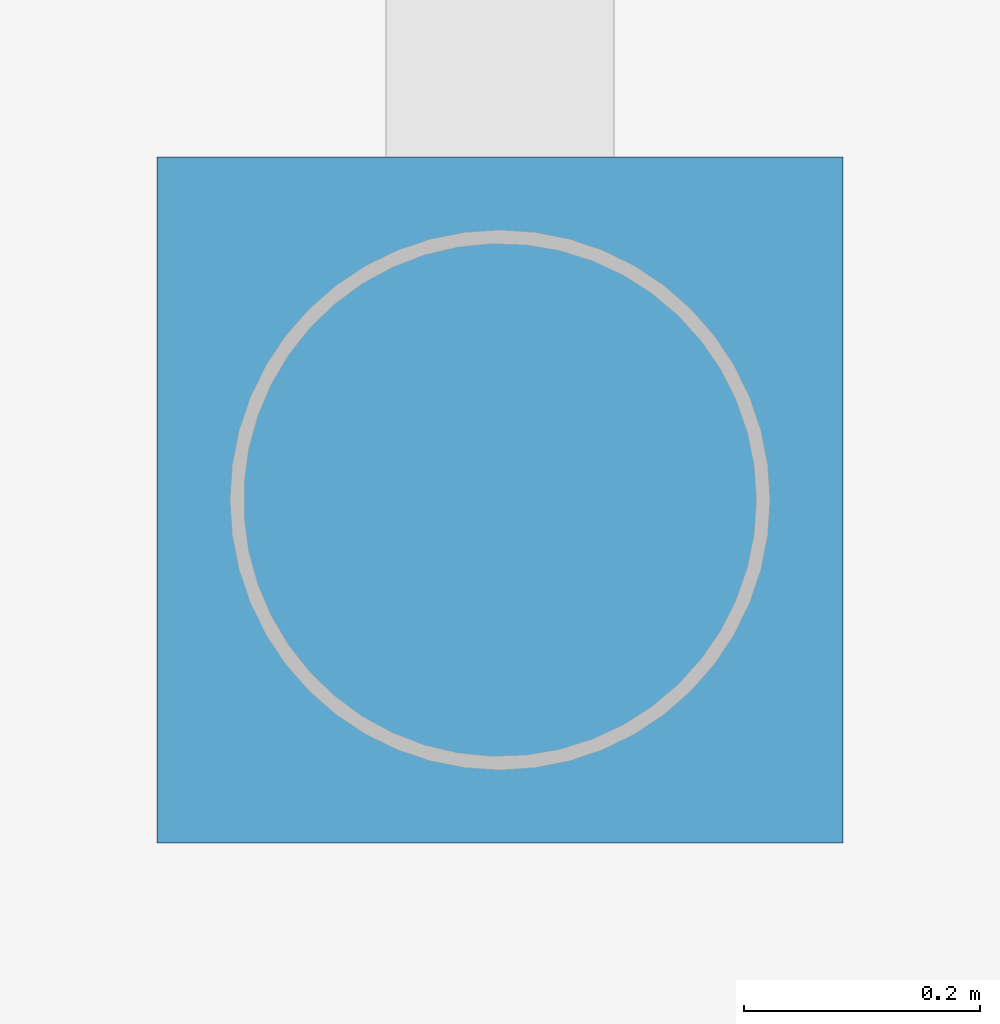
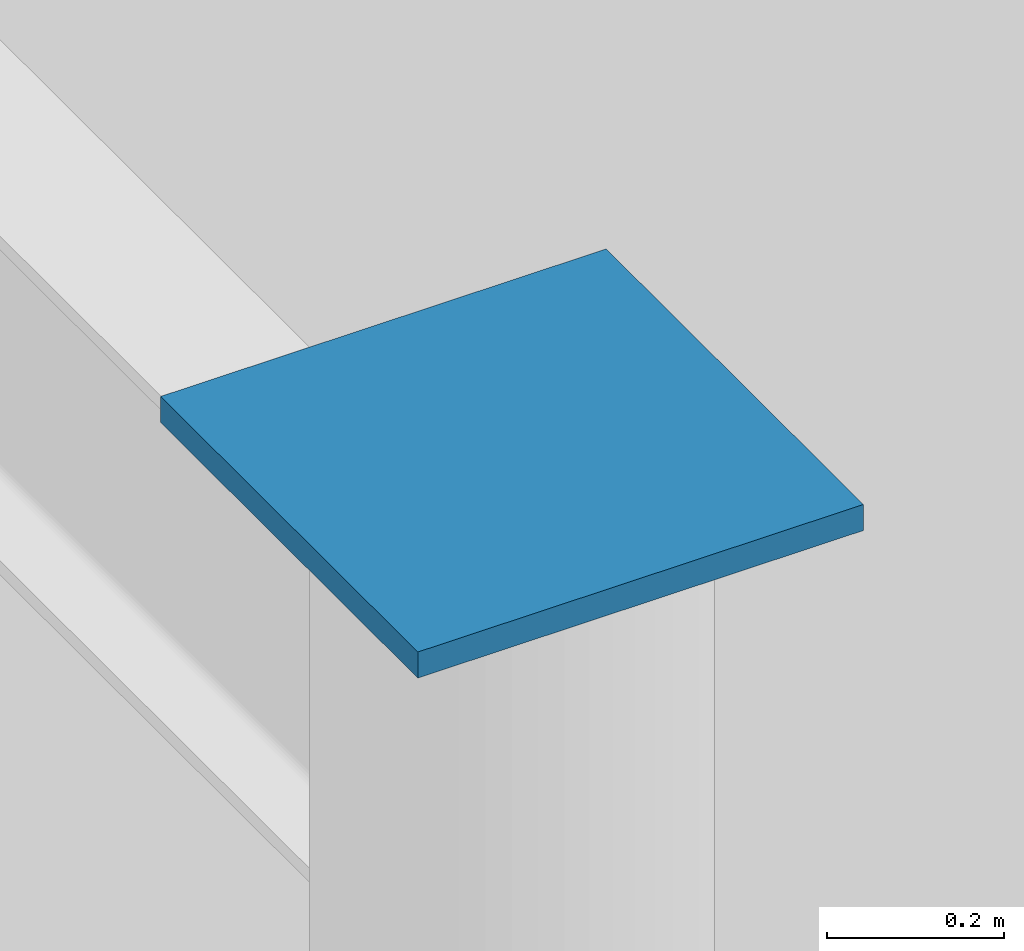
# One storey, part 64 of 75: 1 discrete accessory.
"""IFC4 building model written with IfcOpenShell, lengths in metres."""

import ifcopenshell
import ifcopenshell.guid

model = None  # the IFC model being written
_history = None  # IfcOwnerHistory: only IFC2X3 demands one
_inside = {}  # id of a spatial element -> (the spatial element, [elements in it])
_under = {}  # id of a project, library or spatial element -> (it, [spatial elements below it])
_declared = {}  # id of a project -> (the project, [libraries it declares])
_typed = {}  # id of a type object -> (the type object, [elements of that type])
_made_of = {}  # id of a material, layer set ... -> (it, [elements and type objects made of it])


def new_model(schema):
    """Start an empty IFC model of exactly this schema.

    Asked for "IFC4X3", IfcOpenShell would pick the latest addendum, in which some entities
    have other attributes; the version numbers below select the first issue.
    IFC2X3 requires an IfcOwnerHistory on every rooted entity: one is made here for all.
    """
    global model, _history
    if schema == "IFC4X3":
        model = ifcopenshell.file(schema_version=(4, 3, 0, 0))
    else:
        model = ifcopenshell.file(schema=schema)
    _inside.clear()
    _under.clear()
    _declared.clear()
    _typed.clear()
    _made_of.clear()
    _history = None
    if model.schema == "IFC2X3":
        org = make("IfcOrganization", Name="unknown")
        user = make(
            "IfcPersonAndOrganization",
            ThePerson=make("IfcPerson", FamilyName="unknown"),
            TheOrganization=org,
        )
        app = make(
            "IfcApplication",
            ApplicationDeveloper=org,
            Version="unknown",
            ApplicationFullName="unknown",
            ApplicationIdentifier="unknown",
        )
        _history = make(
            "IfcOwnerHistory",
            OwningUser=user,
            OwningApplication=app,
            ChangeAction="ADDED",
            CreationDate=0,
        )
    return model


def make(cls, **values):
    """One entity of the class cls with the attributes given. An attribute that is None is left unset."""
    return model.create_entity(
        cls, **{name: value for name, value in values.items() if value is not None}
    )


def rooted(cls, **values):
    """An entity with a GlobalId (a new one), such as an element, a storey or a relation."""
    return make(cls, GlobalId=ifcopenshell.guid.new(), OwnerHistory=_history, **values)


def si_unit(unit_type, name, prefix=None):
    """IfcSIUnit, for example si_unit("LENGTHUNIT", "METRE", prefix="MILLI")."""
    return make("IfcSIUnit", UnitType=unit_type, Prefix=prefix, Name=name)


def assignment(units):
    """IfcUnitAssignment: the units of a project."""
    return None if units is None else make("IfcUnitAssignment", Units=units)


def point(xyz):
    """IfcCartesianPoint."""
    return None if xyz is None else make("IfcCartesianPoint", Coordinates=xyz)


def direction(xyz):
    """IfcDirection."""
    return None if xyz is None else make("IfcDirection", DirectionRatios=xyz)


def frame(location, z_axis=None, x_axis=None):
    """IfcAxis2Placement3D, a coordinate frame: its origin and axes. An axis left out is left unset."""
    return make(
        "IfcAxis2Placement3D",
        Location=point(location),
        Axis=direction(z_axis),
        RefDirection=direction(x_axis),
    )


def frame_2d(location, x_axis=None):
    """IfcAxis2Placement2D, a coordinate frame in the plane: its origin and x axis."""
    return make(
        "IfcAxis2Placement2D", Location=point(location), RefDirection=direction(x_axis)
    )


def origin():
    """The frame at (0, 0, 0) with its axes left unset."""
    return frame((0.0, 0.0, 0.0))


def origin_2d():
    """The frame at (0, 0) in the plane with its x axis left unset."""
    return frame_2d((0.0, 0.0))


def place(relative_to, where):
    """IfcLocalPlacement: puts the frame where relative to a parent placement (None: the world)."""
    return make(
        "IfcLocalPlacement", PlacementRelTo=relative_to, RelativePlacement=where
    )


def context(
    kind, dimensions, precision=None, world=None, true_north=None, identifier=None
):
    """IfcGeometricRepresentationContext, for example the 3D "Model" context."""
    return make(
        "IfcGeometricRepresentationContext",
        ContextIdentifier=identifier,
        ContextType=kind,
        CoordinateSpaceDimension=dimensions,
        Precision=precision,
        WorldCoordinateSystem=world,
        TrueNorth=true_north,
    )


def subcontext(parent, identifier, kind, view, scale=None):
    """IfcGeometricRepresentationSubContext, for example "Body" below "Model"."""
    return make(
        "IfcGeometricRepresentationSubContext",
        ContextIdentifier=identifier,
        ContextType=kind,
        ParentContext=parent,
        TargetScale=scale,
        TargetView=view,
    )


def project(units=None, contexts=None):
    """IfcProject with its units and contexts."""
    return rooted(
        "IfcProject",
        Name="project",
        RepresentationContexts=contexts,
        UnitsInContext=assignment(units),
    )


def spatial(cls, under=None, at=None, **own):
    """A site, building, storey or space (cls), placed at a placement, below another one or the project."""
    s = rooted(cls, ObjectPlacement=at, **own)
    if under is not None:
        _under.setdefault(under.id(), (under, []))[1].append(s)
    return s


def profile(cls, at=None, kind="AREA", **sizes):
    """A parametric profile (cls). Its sizes go by their IFC names, for example OverallWidth=200.0."""
    return make(cls, ProfileType=kind, Position=at, **sizes)


def rectangle(**sizes):
    """IfcRectangleProfileDef."""
    return profile("IfcRectangleProfileDef", **sizes)


def extrude(swept, where, along, depth):
    """IfcExtrudedAreaSolid: the profile swept, set in the frame where, extruded along a direction by depth."""
    return make(
        "IfcExtrudedAreaSolid",
        SweptArea=swept,
        Position=where,
        ExtrudedDirection=direction(along),
        Depth=depth,
    )


def shape(context_of_items, identifier, shape_type, items):
    """IfcShapeRepresentation: the items that make up one representation, for example the "Body"."""
    return make(
        "IfcShapeRepresentation",
        ContextOfItems=context_of_items,
        RepresentationIdentifier=identifier,
        RepresentationType=shape_type,
        Items=items,
    )


def material(Name=None, Category=None):
    """IfcMaterial."""
    return make("IfcMaterial", Name=Name, Category=Category)


def layer(
    of_material, thickness, ventilated=None, Name=None, Category=None, Priority=None
):
    """IfcMaterialLayer: one layer of a wall or slab, of a material (None: an air gap)."""
    return make(
        "IfcMaterialLayer",
        Material=of_material,
        LayerThickness=thickness,
        IsVentilated=ventilated,
        Name=Name,
        Category=Category,
        Priority=Priority,
    )


def layer_set(layers, Name=None):
    """IfcMaterialLayerSet."""
    return make("IfcMaterialLayerSet", MaterialLayers=layers, LayerSetName=Name)


def made_of(thing, what):
    """Note that an element or type object is made of a material, layer set ...; save() writes the relation."""
    if what is not None:
        _made_of.setdefault(what.id(), (what, []))[1].append(thing)
    return thing


def type_object(cls, material=None, **own):
    """A type object (cls), such as IfcWallType, which elements share."""
    return made_of(rooted(cls, **own), material)


def element(
    cls,
    number,
    at=None,
    inside=None,
    cuts=None,
    type_object=None,
    material=None,
    context=None,
    identifier="Body",
    shape_type=None,
    held_by="IfcProductDefinitionShape",
    body=None,
    shapes=None,
    **own,
):
    """One element of the class cls, such as IfcWall. Its Tag is "e" and its number.

    at: its placement. inside: the storey or other place that contains it. cuts: it is an
    opening in that element (IfcRelVoidsElement). A single representation is given by context,
    identifier, shape_type and body (its items); several are given by shapes. held_by: the class
    of the entity that holds the representations. save() writes the other relations.
    """
    e = rooted(cls, Tag="e%d" % number, ObjectPlacement=at, **own)
    if body is not None:
        shapes = [shape(context, identifier, shape_type, body)]
    if shapes is not None:
        e.Representation = make(held_by, Representations=shapes)
    if inside is not None:
        _inside.setdefault(inside.id(), (inside, []))[1].append(e)
    if cuts is not None:
        rooted(
            "IfcRelVoidsElement", RelatingBuildingElement=cuts, RelatedOpeningElement=e
        )
    if type_object is not None:
        _typed.setdefault(type_object.id(), (type_object, []))[1].append(e)
    return made_of(e, material)


def aggregate(whole, parts):
    """IfcRelAggregates: a whole, such as a stair, and the parts it consists of."""
    return rooted("IfcRelAggregates", RelatingObject=whole, RelatedObjects=parts)


def save(model, path):
    """Write the relations noted so far, then the file.

    IfcRelAggregates (storeys below a building ...), IfcRelContainedInSpatialStructure (elements
    in a storey), IfcRelDefinesByType, IfcRelAssociatesMaterial and IfcRelDeclares: one each for
    every whole, place, type object, material and project.
    """
    for whole, parts in _under.values():
        aggregate(whole, parts)
    for where, things in _inside.values():
        rooted(
            "IfcRelContainedInSpatialStructure",
            RelatedElements=things,
            RelatingStructure=where,
        )
    for kind, things in _typed.values():
        rooted("IfcRelDefinesByType", RelatedObjects=things, RelatingType=kind)
    for what, things in _made_of.values():
        rooted("IfcRelAssociatesMaterial", RelatedObjects=things, RelatingMaterial=what)
    for by, libraries in _declared.values():
        rooted("IfcRelDeclares", RelatingContext=by, RelatedDefinitions=libraries)
    model.write(path)


model = new_model("IFC4")

# Units and contexts
model_context = context("Model", 3, precision=1e-05, world=origin(), true_north=direction((0.0, 1.0)))
body_context = subcontext(model_context, "Body", "Model", "MODEL_VIEW")
ifc_project = project(units=[si_unit("LENGTHUNIT", "METRE"), si_unit("AREAUNIT", "SQUARE_METRE"), si_unit("VOLUMEUNIT", "CUBIC_METRE"), si_unit("PLANEANGLEUNIT", "RADIAN"), si_unit("MASSUNIT", "GRAM", prefix="KILO")], contexts=[model_context])

# Site, building, storey
site_placement = place(None, origin())
site = spatial("IfcSite", under=ifc_project, at=site_placement, CompositionType="ELEMENT")
building_placement = place(site_placement, origin())
building = spatial("IfcBuilding", under=site, at=building_placement, Name="Solmirada Galleria", CompositionType="ELEMENT")
storey_placement = place(building_placement, frame((0.0, 0.0, 19.39990234375)))
storey = spatial("IfcBuildingStorey", under=building, at=storey_placement, Name="L04", CompositionType="ELEMENT", Elevation=19.39990234375)

# Discrete accessory
ifc_material = material(Name="Steel S355 / ASTM A572 Grade 50", Category="steel")
ifc_layer = layer(ifc_material, 0.031982421875)
ifc_layer_set = layer_set([ifc_layer], Name="Steel S355 / ASTM A572 Grade 50")
discrete_accessory_type = type_object("IfcDiscreteAccessoryType", Name="ACC-COL-CAP", PredefinedType="BRACKET", material=ifc_layer_set)
discrete_accessory_placement = place(storey_placement, frame((104.0, 88.0, 4.494140625), z_axis=(0.0, 0.0, 1.0), x_axis=(1.0, 0.0, 0.0)))
element("IfcDiscreteAccessory", 1, at=discrete_accessory_placement, inside=storey, type_object=discrete_accessory_type, Name="Hollow column cap plate L04-0774", PredefinedType="BRACKET", context=body_context, shape_type="SweptSolid", body=[
    extrude(rectangle(XDim=0.580078125, YDim=0.580078125, at=origin_2d()), origin(), (0.0, 0.0, 1.0), 0.035888671875),
])

save(model, "model.ifc")
